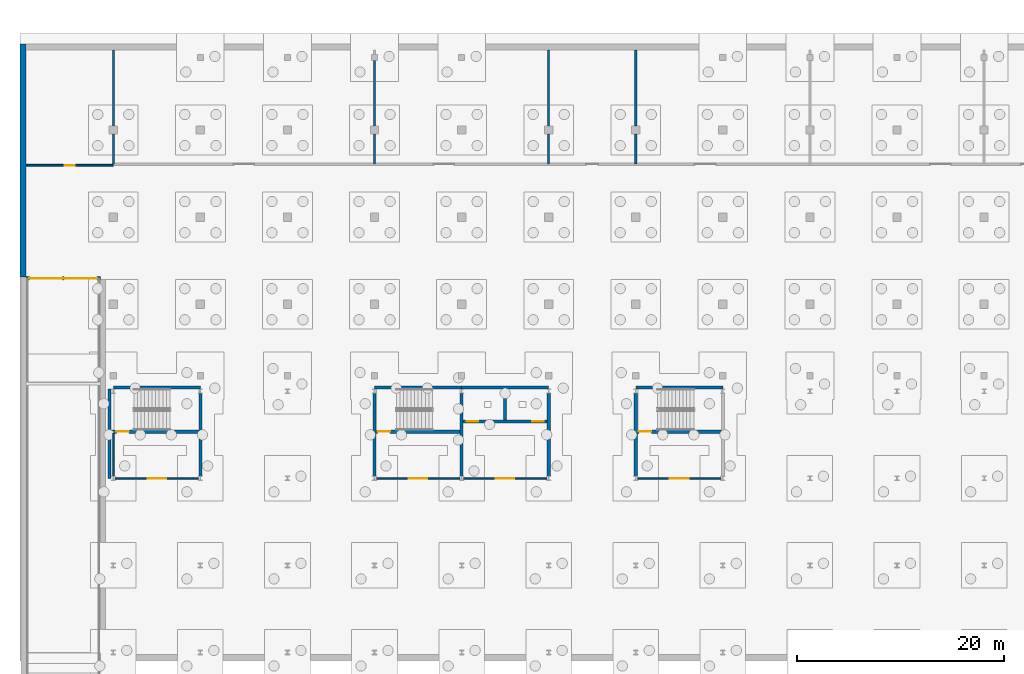
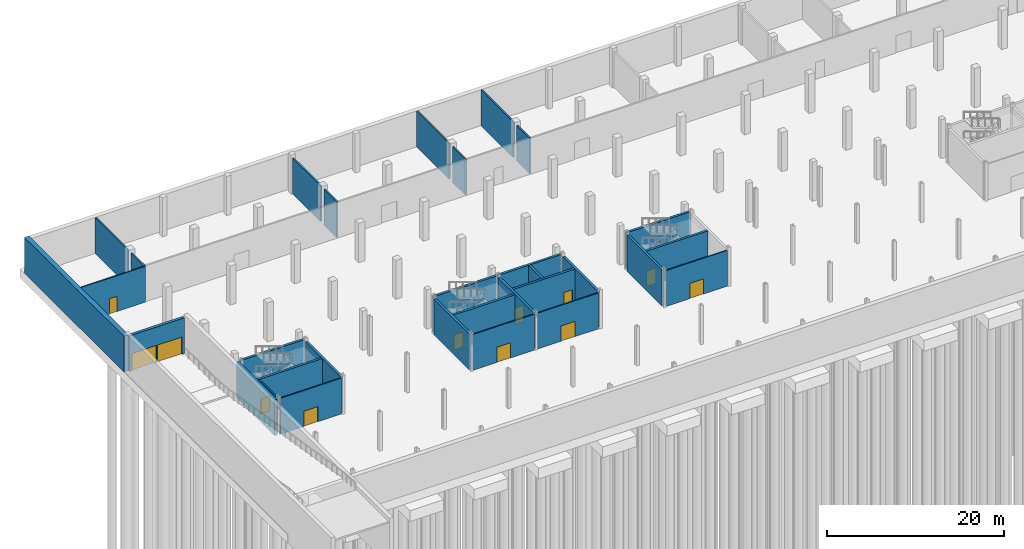
# One storey, part 14 of 29: 31 walls, 12 doors, 12 openings.
"""IFC4 building model written with IfcOpenShell, lengths in metres."""

import ifcopenshell
import ifcopenshell.guid

model = None  # the IFC model being written
_history = None  # IfcOwnerHistory: only IFC2X3 demands one
_inside = {}  # id of a spatial element -> (the spatial element, [elements in it])
_under = {}  # id of a project, library or spatial element -> (it, [spatial elements below it])
_declared = {}  # id of a project -> (the project, [libraries it declares])
_typed = {}  # id of a type object -> (the type object, [elements of that type])
_made_of = {}  # id of a material, layer set ... -> (it, [elements and type objects made of it])


def new_model(schema):
    """Start an empty IFC model of exactly this schema.

    Asked for "IFC4X3", IfcOpenShell would pick the latest addendum, in which some entities
    have other attributes; the version numbers below select the first issue.
    IFC2X3 requires an IfcOwnerHistory on every rooted entity: one is made here for all.
    """
    global model, _history
    if schema == "IFC4X3":
        model = ifcopenshell.file(schema_version=(4, 3, 0, 0))
    else:
        model = ifcopenshell.file(schema=schema)
    _inside.clear()
    _under.clear()
    _declared.clear()
    _typed.clear()
    _made_of.clear()
    _history = None
    if model.schema == "IFC2X3":
        org = make("IfcOrganization", Name="unknown")
        user = make(
            "IfcPersonAndOrganization",
            ThePerson=make("IfcPerson", FamilyName="unknown"),
            TheOrganization=org,
        )
        app = make(
            "IfcApplication",
            ApplicationDeveloper=org,
            Version="unknown",
            ApplicationFullName="unknown",
            ApplicationIdentifier="unknown",
        )
        _history = make(
            "IfcOwnerHistory",
            OwningUser=user,
            OwningApplication=app,
            ChangeAction="ADDED",
            CreationDate=0,
        )
    return model


def make(cls, **values):
    """One entity of the class cls with the attributes given. An attribute that is None is left unset."""
    return model.create_entity(
        cls, **{name: value for name, value in values.items() if value is not None}
    )


def rooted(cls, **values):
    """An entity with a GlobalId (a new one), such as an element, a storey or a relation."""
    return make(cls, GlobalId=ifcopenshell.guid.new(), OwnerHistory=_history, **values)


def si_unit(unit_type, name, prefix=None):
    """IfcSIUnit, for example si_unit("LENGTHUNIT", "METRE", prefix="MILLI")."""
    return make("IfcSIUnit", UnitType=unit_type, Prefix=prefix, Name=name)


def assignment(units):
    """IfcUnitAssignment: the units of a project."""
    return None if units is None else make("IfcUnitAssignment", Units=units)


def point(xyz):
    """IfcCartesianPoint."""
    return None if xyz is None else make("IfcCartesianPoint", Coordinates=xyz)


def direction(xyz):
    """IfcDirection."""
    return None if xyz is None else make("IfcDirection", DirectionRatios=xyz)


def frame(location, z_axis=None, x_axis=None):
    """IfcAxis2Placement3D, a coordinate frame: its origin and axes. An axis left out is left unset."""
    return make(
        "IfcAxis2Placement3D",
        Location=point(location),
        Axis=direction(z_axis),
        RefDirection=direction(x_axis),
    )


def frame_2d(location, x_axis=None):
    """IfcAxis2Placement2D, a coordinate frame in the plane: its origin and x axis."""
    return make(
        "IfcAxis2Placement2D", Location=point(location), RefDirection=direction(x_axis)
    )


def origin():
    """The frame at (0, 0, 0) with its axes left unset."""
    return frame((0.0, 0.0, 0.0))


def place(relative_to, where):
    """IfcLocalPlacement: puts the frame where relative to a parent placement (None: the world)."""
    return make(
        "IfcLocalPlacement", PlacementRelTo=relative_to, RelativePlacement=where
    )


def context(
    kind, dimensions, precision=None, world=None, true_north=None, identifier=None
):
    """IfcGeometricRepresentationContext, for example the 3D "Model" context."""
    return make(
        "IfcGeometricRepresentationContext",
        ContextIdentifier=identifier,
        ContextType=kind,
        CoordinateSpaceDimension=dimensions,
        Precision=precision,
        WorldCoordinateSystem=world,
        TrueNorth=true_north,
    )


def subcontext(parent, identifier, kind, view, scale=None):
    """IfcGeometricRepresentationSubContext, for example "Body" below "Model"."""
    return make(
        "IfcGeometricRepresentationSubContext",
        ContextIdentifier=identifier,
        ContextType=kind,
        ParentContext=parent,
        TargetScale=scale,
        TargetView=view,
    )


def project(units=None, contexts=None):
    """IfcProject with its units and contexts."""
    return rooted(
        "IfcProject",
        Name="project",
        RepresentationContexts=contexts,
        UnitsInContext=assignment(units),
    )


def spatial(cls, under=None, at=None, **own):
    """A site, building, storey or space (cls), placed at a placement, below another one or the project."""
    s = rooted(cls, ObjectPlacement=at, **own)
    if under is not None:
        _under.setdefault(under.id(), (under, []))[1].append(s)
    return s


def profile(cls, at=None, kind="AREA", **sizes):
    """A parametric profile (cls). Its sizes go by their IFC names, for example OverallWidth=200.0."""
    return make(cls, ProfileType=kind, Position=at, **sizes)


def rectangle(**sizes):
    """IfcRectangleProfileDef."""
    return profile("IfcRectangleProfileDef", **sizes)


def extrude(swept, where, along, depth):
    """IfcExtrudedAreaSolid: the profile swept, set in the frame where, extruded along a direction by depth."""
    return make(
        "IfcExtrudedAreaSolid",
        SweptArea=swept,
        Position=where,
        ExtrudedDirection=direction(along),
        Depth=depth,
    )


def shape(context_of_items, identifier, shape_type, items):
    """IfcShapeRepresentation: the items that make up one representation, for example the "Body"."""
    return make(
        "IfcShapeRepresentation",
        ContextOfItems=context_of_items,
        RepresentationIdentifier=identifier,
        RepresentationType=shape_type,
        Items=items,
    )


def material(Name=None, Category=None):
    """IfcMaterial."""
    return make("IfcMaterial", Name=Name, Category=Category)


def layer(
    of_material, thickness, ventilated=None, Name=None, Category=None, Priority=None
):
    """IfcMaterialLayer: one layer of a wall or slab, of a material (None: an air gap)."""
    return make(
        "IfcMaterialLayer",
        Material=of_material,
        LayerThickness=thickness,
        IsVentilated=ventilated,
        Name=Name,
        Category=Category,
        Priority=Priority,
    )


def layer_set(layers, Name=None):
    """IfcMaterialLayerSet."""
    return make("IfcMaterialLayerSet", MaterialLayers=layers, LayerSetName=Name)


def made_of(thing, what):
    """Note that an element or type object is made of a material, layer set ...; save() writes the relation."""
    if what is not None:
        _made_of.setdefault(what.id(), (what, []))[1].append(thing)
    return thing


def type_object(cls, material=None, **own):
    """A type object (cls), such as IfcWallType, which elements share."""
    return made_of(rooted(cls, **own), material)


def element(
    cls,
    number,
    at=None,
    inside=None,
    cuts=None,
    type_object=None,
    material=None,
    context=None,
    identifier="Body",
    shape_type=None,
    held_by="IfcProductDefinitionShape",
    body=None,
    shapes=None,
    **own,
):
    """One element of the class cls, such as IfcWall. Its Tag is "e" and its number.

    at: its placement. inside: the storey or other place that contains it. cuts: it is an
    opening in that element (IfcRelVoidsElement). A single representation is given by context,
    identifier, shape_type and body (its items); several are given by shapes. held_by: the class
    of the entity that holds the representations. save() writes the other relations.
    """
    e = rooted(cls, Tag="e%d" % number, ObjectPlacement=at, **own)
    if body is not None:
        shapes = [shape(context, identifier, shape_type, body)]
    if shapes is not None:
        e.Representation = make(held_by, Representations=shapes)
    if inside is not None:
        _inside.setdefault(inside.id(), (inside, []))[1].append(e)
    if cuts is not None:
        rooted(
            "IfcRelVoidsElement", RelatingBuildingElement=cuts, RelatedOpeningElement=e
        )
    if type_object is not None:
        _typed.setdefault(type_object.id(), (type_object, []))[1].append(e)
    return made_of(e, material)


def fill(opening, filler):
    """IfcRelFillsElement: the door or window that sits in an opening."""
    return rooted(
        "IfcRelFillsElement",
        RelatingOpeningElement=opening,
        RelatedBuildingElement=filler,
    )


def aggregate(whole, parts):
    """IfcRelAggregates: a whole, such as a stair, and the parts it consists of."""
    return rooted("IfcRelAggregates", RelatingObject=whole, RelatedObjects=parts)


def save(model, path):
    """Write the relations noted so far, then the file.

    IfcRelAggregates (storeys below a building ...), IfcRelContainedInSpatialStructure (elements
    in a storey), IfcRelDefinesByType, IfcRelAssociatesMaterial and IfcRelDeclares: one each for
    every whole, place, type object, material and project.
    """
    for whole, parts in _under.values():
        aggregate(whole, parts)
    for where, things in _inside.values():
        rooted(
            "IfcRelContainedInSpatialStructure",
            RelatedElements=things,
            RelatingStructure=where,
        )
    for kind, things in _typed.values():
        rooted("IfcRelDefinesByType", RelatedObjects=things, RelatingType=kind)
    for what, things in _made_of.values():
        rooted("IfcRelAssociatesMaterial", RelatedObjects=things, RelatingMaterial=what)
    for by, libraries in _declared.values():
        rooted("IfcRelDeclares", RelatingContext=by, RelatedDefinitions=libraries)
    model.write(path)


model = new_model("IFC4")

# Units and contexts
model_context = context("Model", 3, precision=1e-05, world=origin(), true_north=direction((0.0, 1.0)))
body_context = subcontext(model_context, "Body", "Model", "MODEL_VIEW")
ifc_project = project(units=[si_unit("LENGTHUNIT", "METRE"), si_unit("AREAUNIT", "SQUARE_METRE"), si_unit("VOLUMEUNIT", "CUBIC_METRE"), si_unit("PLANEANGLEUNIT", "RADIAN"), si_unit("MASSUNIT", "GRAM", prefix="KILO")], contexts=[model_context])

# Site, building, storey
site_placement = place(None, origin())
site = spatial("IfcSite", under=ifc_project, at=site_placement, CompositionType="ELEMENT")
building_placement = place(site_placement, origin())
building = spatial("IfcBuilding", under=site, at=building_placement, Name="Cresset Court Congress Hotel", CompositionType="ELEMENT")
storey_placement = place(building_placement, frame((0.0, 0.0, -5.39990234375)))
storey = spatial("IfcBuildingStorey", under=building, at=storey_placement, Name="B1", CompositionType="ELEMENT", Elevation=-5.39990234375)

# Wall, opening, door
ifc_material_1 = material(Name="Concrete masonry", Category="masonry")
ifc_layer_1 = layer(ifc_material_1, 0.14990234375)
ifc_layer_set_1 = layer_set([ifc_layer_1], Name="Basement partition 150")
wall_type_1 = type_object("IfcWallType", Name="Basement partition 150", PredefinedType="PARTITIONING", material=ifc_layer_set_1)
wall_1_placement = place(storey_placement, frame((8.60009765625, 16.800048828125, 0.0), z_axis=(0.0, 0.0, 1.0), x_axis=(1.0, 0.0, 0.0)))
wall_1 = element("IfcWall", 1, at=wall_1_placement, inside=storey, type_object=wall_type_1, Name="S.wall.B1.P003", PredefinedType="PARTITIONING", context=body_context, shape_type="SweptSolid", body=[
    extrude(rectangle(XDim=8.0, YDim=0.14990234375, at=frame_2d((4.0, 0.0))), origin(), (0.0, 0.0, 1.0), 4.949951171875),
])
opening_1_placement = place(wall_1_placement, frame((3.10009765625, 0.0, 0.0)))
opening_1 = element("IfcOpeningElement", 2, at=opening_1_placement, cuts=wall_1, Name="Opening DS-B1-04", PredefinedType="OPENING", context=body_context, shape_type="SweptSolid", body=[
    extrude(rectangle(XDim=1.800048828125, YDim=2.10009765625, at=frame_2d((0.89990234375, 1.050048828125))), frame((0.0, 0.0849609375, 0.0), z_axis=(0.0, -1.0, 0.0), x_axis=(1.0, 0.0, 0.0)), (0.0, 0.0, 1.0), 0.169921875),
])
ifc_material_2 = material(Name="Steel", Category="steel")
door_type_1 = type_object("IfcDoorType", Name="Basement lobby door 1800x2100", OperationType="DOUBLE_DOOR_SINGLE_SWING", PredefinedType="DOOR", material=ifc_material_2)
door_1_placement = place(opening_1_placement, origin())
door_1 = element("IfcDoor", 3, at=door_1_placement, inside=storey, type_object=door_type_1, Name="Door DS-B1-04", OperationType="DOUBLE_DOOR_SINGLE_SWING", OverallHeight=2.10009765625, OverallWidth=1.800048828125, PredefinedType="DOOR", context=body_context, shape_type="SweptSolid", body=[
    extrude(rectangle(XDim=1.800048828125, YDim=2.10009765625, at=frame_2d((0.89990234375, 1.050048828125))), frame((0.0, 0.02490234375, 0.0), z_axis=(0.0, -1.0, 0.0), x_axis=(1.0, 0.0, 0.0)), (0.0, 0.0, 1.0), 0.050048828125),
])
fill(opening_1, door_1)

wall_2_placement = place(storey_placement, frame((33.800048828125, 16.800048828125, 0.0), z_axis=(0.0, 0.0, 1.0), x_axis=(1.0, 0.0, 0.0)))
wall_2 = element("IfcWall", 4, at=wall_2_placement, inside=storey, type_object=wall_type_1, Name="S.wall.B1.P004", PredefinedType="PARTITIONING", context=body_context, shape_type="SweptSolid", body=[
    extrude(rectangle(XDim=8.0, YDim=0.14990234375, at=frame_2d((4.0, 0.0))), origin(), (0.0, 0.0, 1.0), 4.949951171875),
])
opening_2_placement = place(wall_2_placement, frame((3.10009765625, 0.0, 0.0)))
opening_2 = element("IfcOpeningElement", 5, at=opening_2_placement, cuts=wall_2, Name="Opening DS-B1-05", PredefinedType="OPENING", context=body_context, shape_type="SweptSolid", body=[
    extrude(rectangle(XDim=1.800048828125, YDim=2.10009765625, at=frame_2d((0.89990234375, 1.050048828125))), frame((0.0, 0.0849609375, 0.0), z_axis=(0.0, -1.0, 0.0), x_axis=(1.0, 0.0, 0.0)), (0.0, 0.0, 1.0), 0.169921875),
])
door_2_placement = place(opening_2_placement, origin())
door_2 = element("IfcDoor", 6, at=door_2_placement, inside=storey, type_object=door_type_1, Name="Door DS-B1-05", OperationType="DOUBLE_DOOR_SINGLE_SWING", OverallHeight=2.10009765625, OverallWidth=1.800048828125, PredefinedType="DOOR", context=body_context, shape_type="SweptSolid", body=[
    extrude(rectangle(XDim=1.800048828125, YDim=2.10009765625, at=frame_2d((0.89990234375, 1.050048828125))), frame((0.0, 0.02490234375, 0.0), z_axis=(0.0, -1.0, 0.0), x_axis=(1.0, 0.0, 0.0)), (0.0, 0.0, 1.0), 0.050048828125),
])
fill(opening_2, door_2)

wall_3_placement = place(storey_placement, frame((42.199951171875, 16.800048828125, 0.0), z_axis=(0.0, 0.0, 1.0), x_axis=(1.0, 0.0, 0.0)))
wall_3 = element("IfcWall", 7, at=wall_3_placement, inside=storey, type_object=wall_type_1, Name="S.wall.B1.P005", PredefinedType="PARTITIONING", context=body_context, shape_type="SweptSolid", body=[
    extrude(rectangle(XDim=8.0, YDim=0.14990234375, at=frame_2d((4.0, 0.0))), origin(), (0.0, 0.0, 1.0), 4.949951171875),
])
opening_3_placement = place(wall_3_placement, frame((3.10009765625, 0.0, 0.0)))
opening_3 = element("IfcOpeningElement", 8, at=opening_3_placement, cuts=wall_3, Name="Opening DS-B1-06", PredefinedType="OPENING", context=body_context, shape_type="SweptSolid", body=[
    extrude(rectangle(XDim=1.800048828125, YDim=2.10009765625, at=frame_2d((0.89990234375, 1.050048828125))), frame((0.0, 0.0849609375, 0.0), z_axis=(0.0, -1.0, 0.0), x_axis=(1.0, 0.0, 0.0)), (0.0, 0.0, 1.0), 0.169921875),
])
door_3_placement = place(opening_3_placement, origin())
door_3 = element("IfcDoor", 9, at=door_3_placement, inside=storey, type_object=door_type_1, Name="Door DS-B1-06", OperationType="DOUBLE_DOOR_SINGLE_SWING", OverallHeight=2.10009765625, OverallWidth=1.800048828125, PredefinedType="DOOR", context=body_context, shape_type="SweptSolid", body=[
    extrude(rectangle(XDim=1.800048828125, YDim=2.10009765625, at=frame_2d((0.89990234375, 1.050048828125))), frame((0.0, 0.02490234375, 0.0), z_axis=(0.0, -1.0, 0.0), x_axis=(1.0, 0.0, 0.0)), (0.0, 0.0, 1.0), 0.050048828125),
])
fill(opening_3, door_3)

wall_4_placement = place(storey_placement, frame((59.0, 16.800048828125, 0.0), z_axis=(0.0, 0.0, 1.0), x_axis=(1.0, 0.0, 0.0)))
wall_4 = element("IfcWall", 10, at=wall_4_placement, inside=storey, type_object=wall_type_1, Name="S.wall.B1.P006", PredefinedType="PARTITIONING", context=body_context, shape_type="SweptSolid", body=[
    extrude(rectangle(XDim=8.0, YDim=0.14990234375, at=frame_2d((4.0, 0.0))), origin(), (0.0, 0.0, 1.0), 4.949951171875),
])
opening_4_placement = place(wall_4_placement, frame((3.10009765625, 0.0, 0.0)))
opening_4 = element("IfcOpeningElement", 11, at=opening_4_placement, cuts=wall_4, Name="Opening DS-B1-07", PredefinedType="OPENING", context=body_context, shape_type="SweptSolid", body=[
    extrude(rectangle(XDim=1.800048828125, YDim=2.10009765625, at=frame_2d((0.89990234375, 1.050048828125))), frame((0.0, 0.0849609375, 0.0), z_axis=(0.0, -1.0, 0.0), x_axis=(1.0, 0.0, 0.0)), (0.0, 0.0, 1.0), 0.169921875),
])
door_4_placement = place(opening_4_placement, origin())
door_4 = element("IfcDoor", 12, at=door_4_placement, inside=storey, type_object=door_type_1, Name="Door DS-B1-07", OperationType="DOUBLE_DOOR_SINGLE_SWING", OverallHeight=2.10009765625, OverallWidth=1.800048828125, PredefinedType="DOOR", context=body_context, shape_type="SweptSolid", body=[
    extrude(rectangle(XDim=1.800048828125, YDim=2.10009765625, at=frame_2d((0.89990234375, 1.050048828125))), frame((0.0, 0.02490234375, 0.0), z_axis=(0.0, -1.0, 0.0), x_axis=(1.0, 0.0, 0.0)), (0.0, 0.0, 1.0), 0.050048828125),
])
fill(opening_4, door_4)

wall_5_placement = place(storey_placement, frame((0.0, 47.0, 0.0), z_axis=(0.0, 0.0, 1.0), x_axis=(1.0, 0.0, 0.0)))
wall_5 = element("IfcWall", 13, at=wall_5_placement, inside=storey, type_object=wall_type_1, Name="S.wall.B1.P016", PredefinedType="PARTITIONING", context=body_context, shape_type="SweptSolid", body=[
    extrude(rectangle(XDim=8.39990234375, YDim=0.14990234375, at=frame_2d((4.199951171875, 0.0))), origin(), (0.0, 0.0, 1.0), 4.949951171875),
])
opening_5_placement = place(wall_5_placement, frame((3.699951171875, 0.0, 0.0)))
opening_5 = element("IfcOpeningElement", 14, at=opening_5_placement, cuts=wall_5, Name="Opening DS-B1-16", PredefinedType="OPENING", context=body_context, shape_type="SweptSolid", body=[
    extrude(rectangle(XDim=1.0, YDim=2.10009765625, at=frame_2d((0.5, 1.050048828125))), frame((0.0, 0.0849609375, 0.0), z_axis=(0.0, -1.0, 0.0), x_axis=(1.0, 0.0, 0.0)), (0.0, 0.0, 1.0), 0.169921875),
])
ifc_material_3 = material(Name="Timber", Category="wood")
door_type_2 = type_object("IfcDoorType", Name="Staff door 1000x2100", OperationType="SINGLE_SWING_RIGHT", PredefinedType="DOOR", material=ifc_material_3)
door_5_placement = place(opening_5_placement, origin())
door_5 = element("IfcDoor", 15, at=door_5_placement, inside=storey, type_object=door_type_2, Name="Door DS-B1-16", OperationType="SINGLE_SWING_RIGHT", OverallHeight=2.10009765625, OverallWidth=1.0, PredefinedType="DOOR", context=body_context, shape_type="SweptSolid", body=[
    extrude(rectangle(XDim=1.0, YDim=2.10009765625, at=frame_2d((0.5, 1.050048828125))), frame((0.0, 0.02490234375, 0.0), z_axis=(0.0, -1.0, 0.0), x_axis=(1.0, 0.0, 0.0)), (0.0, 0.0, 1.0), 0.050048828125),
])
fill(opening_5, door_5)

# Walls
wall_6_placement = place(storey_placement, frame((8.39990234375, 17.0, 0.0), z_axis=(0.0, 0.0, 1.0), x_axis=(0.0, 1.0, 0.0)))
element("IfcWall", 16, at=wall_6_placement, inside=storey, type_object=wall_type_1, Name="S.wall.B1.P019", PredefinedType="PARTITIONING", context=body_context, shape_type="SweptSolid", body=[
    extrude(rectangle(XDim=4.14990234375, YDim=0.14990234375, at=frame_2d((2.074951171875, 0.0))), origin(), (0.0, 0.0, 1.0), 4.949951171875),
])
ifc_material_4 = material(Name="Concrete C40", Category="concrete")
ifc_layer_2 = layer(ifc_material_4, 0.60009765625)
ifc_layer_set_2 = layer_set([ifc_layer_2], Name="Basement wall 600")
wall_type_2 = type_object("IfcWallType", Name="Basement wall 600", PredefinedType="SOLIDWALL", material=ifc_layer_set_2)
wall_7_placement = place(storey_placement, frame((-0.300048828125, 58.699951171875, 0.0), z_axis=(0.0, 0.0, 1.0), x_axis=(0.0, -1.0, 0.0)))
element("IfcWall", 17, at=wall_7_placement, inside=storey, type_object=wall_type_2, Name="S.wall.B1.W", PredefinedType="SOLIDWALL", context=body_context, shape_type="SweptSolid", body=[
    extrude(rectangle(XDim=22.5, YDim=0.60009765625, at=frame_2d((11.25, 0.0))), origin(), (0.0, 0.0, 1.0), 4.949951171875),
])
ifc_material_5 = material(Name="Concrete C50", Category="concrete")
ifc_layer_3 = layer(ifc_material_5, 0.300048828125)
ifc_layer_set_3 = layer_set([ifc_layer_3], Name="Core wall 300 Concrete C50")
wall_type_3 = type_object("IfcWallType", Name="Core wall 300 Concrete C50", PredefinedType="SHEAR", material=ifc_layer_set_3)
for number, where, z_axis, x_axis, name in (
    (18, (42.0, 17.0, 0.0), (0.0, 0.0, 1.0), (0.0, 1.0, 0.0), "Core wall LC-B1"),
    (19, (50.39990234375, 17.0, 0.0), (0.0, 0.0, 1.0), (0.0, 1.0, 0.0), "Core wall LC-B1"),
):
    element("IfcWall", number, at=place(storey_placement, frame(where, z_axis=z_axis, x_axis=x_axis)), inside=storey, type_object=wall_type_3, Name=name, PredefinedType="SHEAR", context=body_context, shape_type="SweptSolid", body=[
        extrude(rectangle(XDim=8.0, YDim=0.300048828125, at=frame_2d((4.0, 0.0))), origin(), (0.0, 0.0, 1.0), 4.949951171875),
    ])

# Wall, openings, doors
wall_8_placement = place(storey_placement, frame((42.14990234375, 22.300048828125, 0.0), z_axis=(0.0, 0.0, 1.0), x_axis=(1.0, 0.0, 0.0)))
wall_8 = element("IfcWall", 20, at=wall_8_placement, inside=storey, type_object=wall_type_3, Name="Core wall LC-B1", PredefinedType="SHEAR", context=body_context, shape_type="SweptSolid", body=[
    extrude(rectangle(XDim=8.10009765625, YDim=0.300048828125, at=frame_2d((4.050048828125, 0.0))), origin(), (0.0, 0.0, 1.0), 4.949951171875),
])
opening_6_placement = place(wall_8_placement, frame((0.35009765625, 0.0, 0.0)))
opening_6 = element("IfcOpeningElement", 21, at=opening_6_placement, cuts=wall_8, Name="Opening LD-B1-01", PredefinedType="OPENING", context=body_context, shape_type="SweptSolid", body=[
    extrude(rectangle(XDim=1.10009765625, YDim=2.199951171875, at=frame_2d((0.550048828125, 1.10009765625))), frame((0.0, 0.159912109375, 0.0), z_axis=(0.0, -1.0, 0.0), x_axis=(1.0, 0.0, 0.0)), (0.0, 0.0, 1.0), 0.320068359375),
])
opening_7_placement = place(wall_8_placement, frame((6.64990234375, 0.0, 0.0)))
opening_7 = element("IfcOpeningElement", 22, at=opening_7_placement, cuts=wall_8, Name="Opening LD-B1-02", PredefinedType="OPENING", context=body_context, shape_type="SweptSolid", body=[
    extrude(rectangle(XDim=1.10009765625, YDim=2.199951171875, at=frame_2d((0.550048828125, 1.10009765625))), frame((0.0, 0.159912109375, 0.0), z_axis=(0.0, -1.0, 0.0), x_axis=(1.0, 0.0, 0.0)), (0.0, 0.0, 1.0), 0.320068359375),
])
ifc_material_6 = material(Name="Stainless steel", Category="steel")
door_type_3 = type_object("IfcDoorType", Name="Lift landing door sliding 1100x2200", OperationType="SLIDING_TO_LEFT", PredefinedType="DOOR", material=ifc_material_6)
door_6_placement = place(opening_6_placement, origin())
door_6 = element("IfcDoor", 23, at=door_6_placement, inside=storey, type_object=door_type_3, Name="Lift landing door LD-B1-01", OperationType="SLIDING_TO_LEFT", OverallHeight=2.199951171875, OverallWidth=1.10009765625, PredefinedType="DOOR", context=body_context, shape_type="SweptSolid", body=[
    extrude(rectangle(XDim=1.10009765625, YDim=2.199951171875, at=frame_2d((0.550048828125, 1.10009765625))), frame((0.0, 0.02490234375, 0.0), z_axis=(0.0, -1.0, 0.0), x_axis=(1.0, 0.0, 0.0)), (0.0, 0.0, 1.0), 0.050048828125),
])
fill(opening_6, door_6)
door_7_placement = place(opening_7_placement, origin())
door_7 = element("IfcDoor", 24, at=door_7_placement, inside=storey, type_object=door_type_3, Name="Lift landing door LD-B1-02", OperationType="SLIDING_TO_LEFT", OverallHeight=2.199951171875, OverallWidth=1.10009765625, PredefinedType="DOOR", context=body_context, shape_type="SweptSolid", body=[
    extrude(rectangle(XDim=1.10009765625, YDim=2.199951171875, at=frame_2d((0.550048828125, 1.10009765625))), frame((0.0, 0.02490234375, 0.0), z_axis=(0.0, -1.0, 0.0), x_axis=(1.0, 0.0, 0.0)), (0.0, 0.0, 1.0), 0.050048828125),
])
fill(opening_7, door_7)

# Walls
wall_9_placement = place(storey_placement, frame((46.199951171875, 22.449951171875, 0.0), z_axis=(0.0, 0.0, 1.0), x_axis=(0.0, 1.0, 0.0)))
element("IfcWall", 25, at=wall_9_placement, inside=storey, type_object=wall_type_3, Name="Core wall LC-B1", PredefinedType="SHEAR", context=body_context, shape_type="SweptSolid", body=[
    extrude(rectangle(XDim=2.949951171875, YDim=0.300048828125, at=frame_2d((1.47509765625, 0.0))), origin(), (0.0, 0.0, 1.0), 4.949951171875),
])
wall_10_placement = place(storey_placement, frame((16.800048828125, 17.0, 0.0), z_axis=(0.0, 0.0, 1.0), x_axis=(0.0, 1.0, 0.0)))
element("IfcWall", 26, at=wall_10_placement, inside=storey, type_object=wall_type_3, Name="Core wall ST-B1", PredefinedType="SHEAR", context=body_context, shape_type="SweptSolid", body=[
    extrude(rectangle(XDim=8.0, YDim=0.300048828125, at=frame_2d((4.0, 0.0))), origin(), (0.0, 0.0, 1.0), 4.949951171875),
])

# Wall, opening, door
wall_11_placement = place(storey_placement, frame((8.199951171875, 21.300048828125, 0.0), z_axis=(0.0, 0.0, 1.0), x_axis=(1.0, 0.0, 0.0)))
wall_11 = element("IfcWall", 27, at=wall_11_placement, inside=storey, type_object=wall_type_3, Name="Core wall ST-B1", PredefinedType="SHEAR", context=body_context, shape_type="SweptSolid", body=[
    extrude(rectangle(XDim=8.449951171875, YDim=0.300048828125, at=frame_2d((4.22509765625, 0.0))), origin(), (0.0, 0.0, 1.0), 4.949951171875),
])
opening_8_placement = place(wall_11_placement, frame((0.5, 0.0, 0.0)))
opening_8 = element("IfcOpeningElement", 28, at=opening_8_placement, cuts=wall_11, Name="Opening DB-1-07", PredefinedType="OPENING", context=body_context, shape_type="SweptSolid", body=[
    extrude(rectangle(XDim=1.199951171875, YDim=2.10009765625, at=frame_2d((0.60009765625, 1.050048828125))), frame((0.0, 0.159912109375, 0.0), z_axis=(0.0, -1.0, 0.0), x_axis=(1.0, 0.0, 0.0)), (0.0, 0.0, 1.0), 0.320068359375),
])
ifc_material_7 = material(Name="Timber and steel frame", Category="steel")
door_type_4 = type_object("IfcDoorType", Name="Stair fire door FD60 1200x2100", OperationType="SINGLE_SWING_LEFT", PredefinedType="DOOR", material=ifc_material_7)
door_8_placement = place(opening_8_placement, origin())
door_8 = element("IfcDoor", 29, at=door_8_placement, inside=storey, type_object=door_type_4, Name="Stair door ST-B1", OperationType="SINGLE_SWING_LEFT", OverallHeight=2.10009765625, OverallWidth=1.199951171875, PredefinedType="DOOR", context=body_context, shape_type="SweptSolid", body=[
    extrude(rectangle(XDim=1.199951171875, YDim=2.10009765625, at=frame_2d((0.60009765625, 1.050048828125))), frame((0.0, 0.02490234375, 0.0), z_axis=(0.0, -1.0, 0.0), x_axis=(1.0, 0.0, 0.0)), (0.0, 0.0, 1.0), 0.050048828125),
])
fill(opening_8, door_8)

# Wall
wall_12_placement = place(storey_placement, frame((33.60009765625, 17.0, 0.0), z_axis=(0.0, 0.0, 1.0), x_axis=(0.0, 1.0, 0.0)))
element("IfcWall", 30, at=wall_12_placement, inside=storey, type_object=wall_type_3, Name="Core wall ST-B2", PredefinedType="SHEAR", context=body_context, shape_type="SweptSolid", body=[
    extrude(rectangle(XDim=8.0, YDim=0.300048828125, at=frame_2d((4.0, 0.0))), origin(), (0.0, 0.0, 1.0), 4.949951171875),
])

# Wall, opening, door
wall_13_placement = place(storey_placement, frame((33.75, 21.300048828125, 0.0), z_axis=(0.0, 0.0, 1.0), x_axis=(1.0, 0.0, 0.0)))
wall_13 = element("IfcWall", 31, at=wall_13_placement, inside=storey, type_object=wall_type_3, Name="Core wall ST-B2", PredefinedType="SHEAR", context=body_context, shape_type="SweptSolid", body=[
    extrude(rectangle(XDim=8.10009765625, YDim=0.300048828125, at=frame_2d((4.050048828125, 0.0))), origin(), (0.0, 0.0, 1.0), 4.949951171875),
])
opening_9_placement = place(wall_13_placement, frame((0.14990234375, 0.0, 0.0)))
opening_9 = element("IfcOpeningElement", 32, at=opening_9_placement, cuts=wall_13, Name="Opening DB-1-08", PredefinedType="OPENING", context=body_context, shape_type="SweptSolid", body=[
    extrude(rectangle(XDim=1.199951171875, YDim=2.10009765625, at=frame_2d((0.60009765625, 1.050048828125))), frame((0.0, 0.159912109375, 0.0), z_axis=(0.0, -1.0, 0.0), x_axis=(1.0, 0.0, 0.0)), (0.0, 0.0, 1.0), 0.320068359375),
])
door_9_placement = place(opening_9_placement, origin())
door_9 = element("IfcDoor", 33, at=door_9_placement, inside=storey, type_object=door_type_4, Name="Stair door ST-B2", OperationType="SINGLE_SWING_LEFT", OverallHeight=2.10009765625, OverallWidth=1.199951171875, PredefinedType="DOOR", context=body_context, shape_type="SweptSolid", body=[
    extrude(rectangle(XDim=1.199951171875, YDim=2.10009765625, at=frame_2d((0.60009765625, 1.050048828125))), frame((0.0, 0.02490234375, 0.0), z_axis=(0.0, -1.0, 0.0), x_axis=(1.0, 0.0, 0.0)), (0.0, 0.0, 1.0), 0.050048828125),
])
fill(opening_9, door_9)

# Wall
wall_14_placement = place(storey_placement, frame((58.800048828125, 17.0, 0.0), z_axis=(0.0, 0.0, 1.0), x_axis=(0.0, 1.0, 0.0)))
element("IfcWall", 34, at=wall_14_placement, inside=storey, type_object=wall_type_3, Name="Core wall ST-B3", PredefinedType="SHEAR", context=body_context, shape_type="SweptSolid", body=[
    extrude(rectangle(XDim=8.0, YDim=0.300048828125, at=frame_2d((4.0, 0.0))), origin(), (0.0, 0.0, 1.0), 4.949951171875),
])

# Wall, opening, door
wall_15_placement = place(storey_placement, frame((58.949951171875, 21.300048828125, 0.0), z_axis=(0.0, 0.0, 1.0), x_axis=(1.0, 0.0, 0.0)))
wall_15 = element("IfcWall", 35, at=wall_15_placement, inside=storey, type_object=wall_type_3, Name="Core wall ST-B3", PredefinedType="SHEAR", context=body_context, shape_type="SweptSolid", body=[
    extrude(rectangle(XDim=8.10009765625, YDim=0.300048828125, at=frame_2d((4.050048828125, 0.0))), origin(), (0.0, 0.0, 1.0), 4.949951171875),
])
opening_10_placement = place(wall_15_placement, frame((0.14990234375, 0.0, 0.0)))
opening_10 = element("IfcOpeningElement", 36, at=opening_10_placement, cuts=wall_15, Name="Opening DB-1-09", PredefinedType="OPENING", context=body_context, shape_type="SweptSolid", body=[
    extrude(rectangle(XDim=1.199951171875, YDim=2.10009765625, at=frame_2d((0.60009765625, 1.050048828125))), frame((0.0, 0.159912109375, 0.0), z_axis=(0.0, -1.0, 0.0), x_axis=(1.0, 0.0, 0.0)), (0.0, 0.0, 1.0), 0.320068359375),
])
door_10_placement = place(opening_10_placement, origin())
door_10 = element("IfcDoor", 37, at=door_10_placement, inside=storey, type_object=door_type_4, Name="Stair door ST-B3", OperationType="SINGLE_SWING_LEFT", OverallHeight=2.10009765625, OverallWidth=1.199951171875, PredefinedType="DOOR", context=body_context, shape_type="SweptSolid", body=[
    extrude(rectangle(XDim=1.199951171875, YDim=2.10009765625, at=frame_2d((0.60009765625, 1.050048828125))), frame((0.0, 0.02490234375, 0.0), z_axis=(0.0, -1.0, 0.0), x_axis=(1.0, 0.0, 0.0)), (0.0, 0.0, 1.0), 0.050048828125),
])
fill(opening_10, door_10)

# Walls
ifc_material_8 = material(Name="Concrete C50", Category="concrete")
ifc_layer_4 = layer(ifc_material_8, 0.300048828125)
ifc_layer_set_4 = layer_set([ifc_layer_4], Name="Core wall 300 Concrete C50 external")
wall_type_4 = type_object("IfcWallType", Name="Core wall 300 Concrete C50 external", PredefinedType="SHEAR", material=ifc_layer_set_4)
wall_16_placement = place(storey_placement, frame((42.0, 25.550048828125, 0.0), z_axis=(0.0, 0.0, 1.0), x_axis=(1.0, 0.0, 0.0)))
element("IfcWall", 38, at=wall_16_placement, inside=storey, type_object=wall_type_4, Name="Core wall LC-B1", PredefinedType="SHEAR", context=body_context, shape_type="SweptSolid", body=[
    extrude(rectangle(XDim=8.39990234375, YDim=0.300048828125, at=frame_2d((4.199951171875, 0.0))), origin(), (0.0, 0.0, 1.0), 4.949951171875),
])
wall_17_placement = place(storey_placement, frame((8.050048828125, 16.800048828125, 0.0), z_axis=(0.0, 0.0, 1.0), x_axis=(0.0, 1.0, 0.0)))
element("IfcWall", 39, at=wall_17_placement, inside=storey, type_object=wall_type_4, Name="Core wall ST-B1", PredefinedType="SHEAR", context=body_context, shape_type="SweptSolid", body=[
    extrude(rectangle(XDim=8.599853515625, YDim=0.300048828125, at=frame_2d((4.2998046875, 0.0))), origin(), (0.0, 0.0, 1.0), 4.949951171875),
])
wall_18_placement = place(storey_placement, frame((8.39990234375, 25.550048828125, 0.0), z_axis=(0.0, 0.0, 1.0), x_axis=(1.0, 0.0, 0.0)))
element("IfcWall", 40, at=wall_18_placement, inside=storey, type_object=wall_type_4, Name="Core wall ST-B1", PredefinedType="SHEAR", context=body_context, shape_type="SweptSolid", body=[
    extrude(rectangle(XDim=8.400146484375, YDim=0.300048828125, at=frame_2d((4.2001953125, 0.0))), origin(), (0.0, 0.0, 1.0), 4.949951171875),
])
for number, where, z_axis, x_axis, name in (
    (41, (33.60009765625, 25.550048828125, 0.0), (0.0, 0.0, 1.0), (1.0, 0.0, 0.0), "Core wall ST-B2"),
    (42, (58.800048828125, 25.550048828125, 0.0), (0.0, 0.0, 1.0), (1.0, 0.0, 0.0), "Core wall ST-B3"),
):
    element("IfcWall", number, at=place(storey_placement, frame(where, z_axis=z_axis, x_axis=x_axis)), inside=storey, type_object=wall_type_4, Name=name, PredefinedType="SHEAR", context=body_context, shape_type="SweptSolid", body=[
        extrude(rectangle(XDim=8.39990234375, YDim=0.300048828125, at=frame_2d((4.199951171875, 0.0))), origin(), (0.0, 0.0, 1.0), 4.949951171875),
    ])

# Wall, openings, doors
ifc_material_9 = material(Name="Concrete C40", Category="concrete")
ifc_layer_5 = layer(ifc_material_9, 0.35009765625)
ifc_layer_set_5 = layer_set([ifc_layer_5], Name="Parking gate wall 350")
wall_type_5 = type_object("IfcWallType", Name="Parking gate wall 350", PredefinedType="SOLIDWALL", material=ifc_layer_set_5)
wall_19_placement = place(storey_placement, frame((0.0, 36.10009765625, 0.0), z_axis=(0.0, 0.0, 1.0), x_axis=(1.0, 0.0, 0.0)))
wall_19 = element("IfcWall", 43, at=wall_19_placement, inside=storey, type_object=wall_type_5, Name="S.wall.TR.GATE", PredefinedType="SOLIDWALL", context=body_context, shape_type="SweptSolid", body=[
    extrude(rectangle(XDim=7.14990234375, YDim=0.35009765625, at=frame_2d((3.574951171875, 0.0))), origin(), (0.0, 0.0, 1.0), 4.949951171875),
])
opening_11_placement = place(wall_19_placement, frame((0.300048828125, 0.0, 0.0)))
opening_11 = element("IfcOpeningElement", 44, at=opening_11_placement, cuts=wall_19, Name="Opening DS-B1-G1", PredefinedType="OPENING", context=body_context, shape_type="SweptSolid", body=[
    extrude(rectangle(XDim=3.199951171875, YDim=2.39990234375, at=frame_2d((1.60009765625, 1.199951171875))), frame((0.0, 0.18505859375, 0.0), z_axis=(0.0, -1.0, 0.0), x_axis=(1.0, 0.0, 0.0)), (0.0, 0.0, 1.0), 0.3701171875),
])
opening_12_placement = place(wall_19_placement, frame((3.64990234375, 0.0, 0.0)))
opening_12 = element("IfcOpeningElement", 45, at=opening_12_placement, cuts=wall_19, Name="Opening DS-B1-G2", PredefinedType="OPENING", context=body_context, shape_type="SweptSolid", body=[
    extrude(rectangle(XDim=3.199951171875, YDim=2.39990234375, at=frame_2d((1.60009765625, 1.199951171875))), frame((0.0, 0.18505859375, 0.0), z_axis=(0.0, -1.0, 0.0), x_axis=(1.0, 0.0, 0.0)), (0.0, 0.0, 1.0), 0.3701171875),
])
ifc_material_10 = material(Name="Galvanised steel", Category="steel")
door_type_5 = type_object("IfcDoorType", Name="Ramp gate 3200x2400", OperationType="SLIDING_TO_RIGHT", PredefinedType="DOOR", material=ifc_material_10)
door_11_placement = place(opening_12_placement, origin())
door_11 = element("IfcDoor", 46, at=door_11_placement, inside=storey, type_object=door_type_5, Name="Vehicle gate DS-B1-G2", OperationType="SLIDING_TO_RIGHT", OverallHeight=2.39990234375, OverallWidth=3.199951171875, PredefinedType="DOOR", context=body_context, shape_type="SweptSolid", body=[
    extrude(rectangle(XDim=3.199951171875, YDim=2.39990234375, at=frame_2d((1.60009765625, 1.199951171875))), frame((0.0, 0.02490234375, 0.0), z_axis=(0.0, -1.0, 0.0), x_axis=(1.0, 0.0, 0.0)), (0.0, 0.0, 1.0), 0.050048828125),
])
fill(opening_12, door_11)
ifc_material_11 = material(Name="Galvanised steel", Category="steel")
door_type_6 = type_object("IfcDoorType", Name="Vehicle gate 3200x2400", OperationType="SLIDING_TO_LEFT", PredefinedType="DOOR", material=ifc_material_11)
door_12_placement = place(opening_11_placement, origin())
door_12 = element("IfcDoor", 47, at=door_12_placement, inside=storey, type_object=door_type_6, Name="Vehicle gate DS-B1-G1", OperationType="SLIDING_TO_LEFT", OverallHeight=2.39990234375, OverallWidth=3.199951171875, PredefinedType="DOOR", context=body_context, shape_type="SweptSolid", body=[
    extrude(rectangle(XDim=3.199951171875, YDim=2.39990234375, at=frame_2d((1.60009765625, 1.199951171875))), frame((0.0, 0.02490234375, 0.0), z_axis=(0.0, -1.0, 0.0), x_axis=(1.0, 0.0, 0.0)), (0.0, 0.0, 1.0), 0.050048828125),
])
fill(opening_11, door_12)

# Walls
ifc_material_12 = material(Name="Concrete C35", Category="concrete")
ifc_layer_6 = layer(ifc_material_12, 0.199951171875)
ifc_layer_set_6 = layer_set([ifc_layer_6], Name="Plant room wall 200")
wall_type_6 = type_object("IfcWallType", Name="Plant room wall 200", PredefinedType="PARTITIONING", material=ifc_layer_set_6)
wall_20_placement = place(storey_placement, frame((8.39990234375, 47.10009765625, 0.0), z_axis=(0.0, 0.0, 1.0), x_axis=(0.0, 1.0, 0.0)))
element("IfcWall", 48, at=wall_20_placement, inside=storey, type_object=wall_type_6, Name="S.wall.B1.P020", PredefinedType="PARTITIONING", context=body_context, shape_type="SweptSolid", body=[
    extrude(rectangle(XDim=2.89990234375, YDim=0.199951171875, at=frame_2d((1.449951171875, 0.0))), origin(), (0.0, 0.0, 1.0), 4.949951171875),
])
wall_21_placement = place(storey_placement, frame((8.39990234375, 50.800048828125, 0.0), z_axis=(0.0, 0.0, 1.0), x_axis=(0.0, 1.0, 0.0)))
element("IfcWall", 49, at=wall_21_placement, inside=storey, type_object=wall_type_6, Name="S.wall.B1.P021", PredefinedType="PARTITIONING", context=body_context, shape_type="SweptSolid", body=[
    extrude(rectangle(XDim=7.300048828125, YDim=0.199951171875, at=frame_2d((3.64990234375, 0.0))), origin(), (0.0, 0.0, 1.0), 4.949951171875),
])
wall_22_placement = place(storey_placement, frame((33.60009765625, 47.10009765625, 0.0), z_axis=(0.0, 0.0, 1.0), x_axis=(0.0, 1.0, 0.0)))
element("IfcWall", 50, at=wall_22_placement, inside=storey, type_object=wall_type_6, Name="S.wall.B1.P022", PredefinedType="PARTITIONING", context=body_context, shape_type="SweptSolid", body=[
    extrude(rectangle(XDim=2.89990234375, YDim=0.199951171875, at=frame_2d((1.449951171875, 0.0))), origin(), (0.0, 0.0, 1.0), 4.949951171875),
])
wall_23_placement = place(storey_placement, frame((33.60009765625, 50.800048828125, 0.0), z_axis=(0.0, 0.0, 1.0), x_axis=(0.0, 1.0, 0.0)))
element("IfcWall", 51, at=wall_23_placement, inside=storey, type_object=wall_type_6, Name="S.wall.B1.P023", PredefinedType="PARTITIONING", context=body_context, shape_type="SweptSolid", body=[
    extrude(rectangle(XDim=6.300048828125, YDim=0.199951171875, at=frame_2d((3.14990234375, 0.0))), origin(), (0.0, 0.0, 1.0), 4.949951171875),
])
wall_24_placement = place(storey_placement, frame((50.39990234375, 47.10009765625, 0.0), z_axis=(0.0, 0.0, 1.0), x_axis=(0.0, 1.0, 0.0)))
element("IfcWall", 52, at=wall_24_placement, inside=storey, type_object=wall_type_6, Name="S.wall.B1.P025", PredefinedType="PARTITIONING", context=body_context, shape_type="SweptSolid", body=[
    extrude(rectangle(XDim=2.89990234375, YDim=0.199951171875, at=frame_2d((1.449951171875, 0.0))), origin(), (0.0, 0.0, 1.0), 4.949951171875),
])
wall_25_placement = place(storey_placement, frame((50.39990234375, 50.800048828125, 0.0), z_axis=(0.0, 0.0, 1.0), x_axis=(0.0, 1.0, 0.0)))
element("IfcWall", 53, at=wall_25_placement, inside=storey, type_object=wall_type_6, Name="S.wall.B1.P026", PredefinedType="PARTITIONING", context=body_context, shape_type="SweptSolid", body=[
    extrude(rectangle(XDim=7.300048828125, YDim=0.199951171875, at=frame_2d((3.64990234375, 0.0))), origin(), (0.0, 0.0, 1.0), 4.949951171875),
])
wall_26_placement = place(storey_placement, frame((58.800048828125, 47.10009765625, 0.0), z_axis=(0.0, 0.0, 1.0), x_axis=(0.0, 1.0, 0.0)))
element("IfcWall", 54, at=wall_26_placement, inside=storey, type_object=wall_type_6, Name="S.wall.B1.P027", PredefinedType="PARTITIONING", context=body_context, shape_type="SweptSolid", body=[
    extrude(rectangle(XDim=2.89990234375, YDim=0.199951171875, at=frame_2d((1.449951171875, 0.0))), origin(), (0.0, 0.0, 1.0), 4.949951171875),
])
wall_27_placement = place(storey_placement, frame((58.800048828125, 50.800048828125, 0.0), z_axis=(0.0, 0.0, 1.0), x_axis=(0.0, 1.0, 0.0)))
element("IfcWall", 55, at=wall_27_placement, inside=storey, type_object=wall_type_6, Name="S.wall.B1.P028", PredefinedType="PARTITIONING", context=body_context, shape_type="SweptSolid", body=[
    extrude(rectangle(XDim=7.300048828125, YDim=0.199951171875, at=frame_2d((3.64990234375, 0.0))), origin(), (0.0, 0.0, 1.0), 4.949951171875),
])

save(model, "model.ifc")
